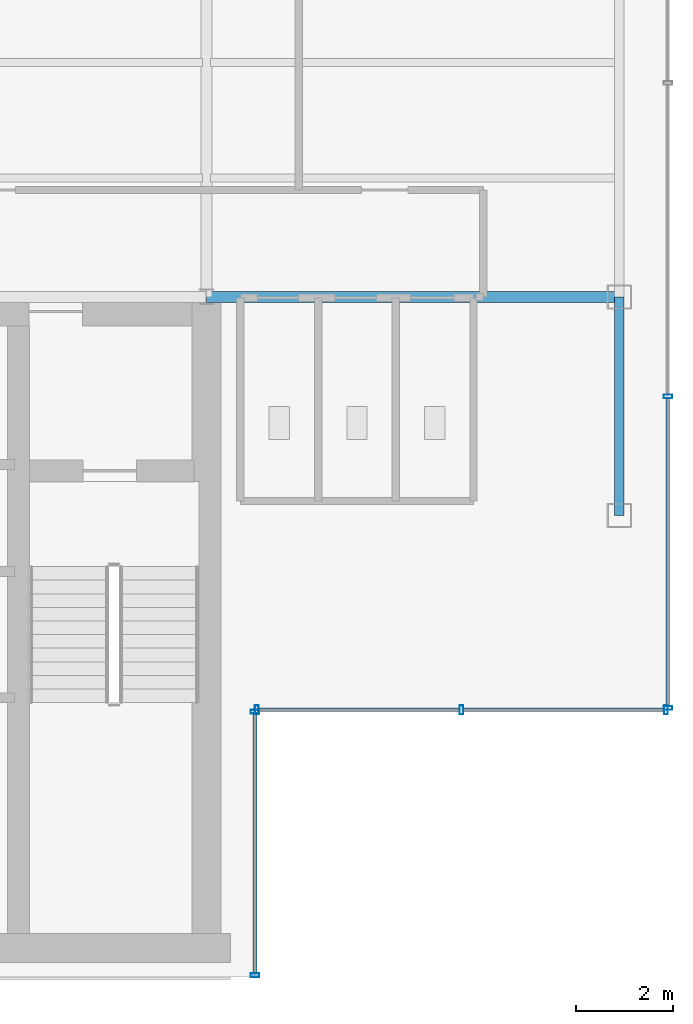
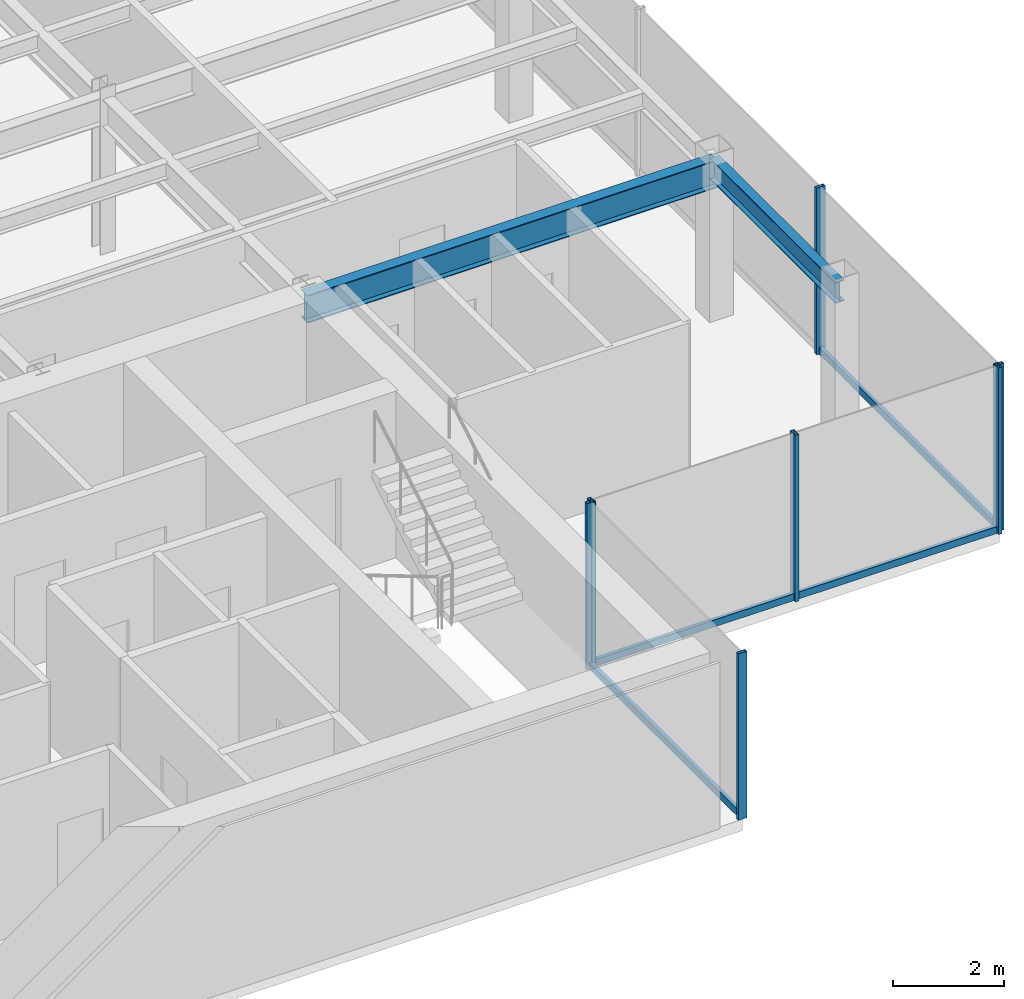
# One storey, part 9 of 22: 11 members, 2 beams, 3 elements without a shape of their own.
"""IFC4 building model written with IfcOpenShell, lengths in metres."""

from ifc_helpers import new_model, si_unit, derived_unit, direction, frame, origin, origin_2d, place, context, subcontext, project, spatial, hollow_rectangle, i_section, extrude, source, transform, mapped, material, material_profile, profile_set, type_object, element, aggregate, save


model = new_model("IFC4")

# Units and contexts
model_context = context("Model", 3, precision=1e-05, world=origin(), true_north=direction((0.0, 1.0)))
body_context = subcontext(model_context, "Body", "Model", "MODEL_VIEW")
ifc_project = project(units=[si_unit("LENGTHUNIT", "METRE"), si_unit("AREAUNIT", "SQUARE_METRE"), si_unit("VOLUMEUNIT", "CUBIC_METRE"), si_unit("PLANEANGLEUNIT", "RADIAN"), si_unit("MASSUNIT", "GRAM", prefix="KILO"), derived_unit("THERMALTRANSMITTANCEUNIT", [(si_unit("POWERUNIT", "WATT"), 1), (si_unit("LENGTHUNIT", "METRE"), -2), (si_unit("THERMODYNAMICTEMPERATUREUNIT", "KELVIN"), -1)])], contexts=[model_context])

# Site, building, storey
site_placement = place(None, origin())
site = spatial("IfcSite", under=ifc_project, at=site_placement, CompositionType="ELEMENT")
building_placement = place(site_placement, origin())
building = spatial("IfcBuilding", under=site, at=building_placement, Name="Skarnbrae Concourse Arena and Tower", CompositionType="ELEMENT")
storey_placement = place(building_placement, frame((0.0, 0.0, 192.25)))
storey = spatial("IfcBuildingStorey", under=building, at=storey_placement, Name="L49", CompositionType="ELEMENT", Elevation=192.25)

# Beams
ifc_material_1 = material(Name="Steel CSA G40.21 350W", Category="steel")
ifc_material_profile_1 = material_profile(ifc_material_1, i_section(OverallWidth=0.22802734375, OverallDepth=0.60791015625, WebThickness=0.01123046875, FlangeThickness=0.017333984375, at=origin_2d()), Name="W610X113")
ifc_profile_set_1 = profile_set([ifc_material_profile_1], Name="Steel CSA G40.21 350W")
beam_type_1 = type_object("IfcBeamType", Name="BM-GIRD-W610X113", PredefinedType="BEAM", material=ifc_profile_set_1)
shared_shape_1 = source(origin(), body_context, "Body", "SweptSolid", [
    extrude(i_section(OverallWidth=0.22802734375, OverallDepth=0.60791015625, WebThickness=0.01123046875, FlangeThickness=0.017333984375, at=origin_2d()), origin(), (0.0, 0.0, 1.0), 8.5),
])
beam_1_placement = place(storey_placement, frame((33.5, 14.0, 3.095947265625), z_axis=(1.0, 0.0, 0.0), x_axis=(0.0, 1.0, 0.0)))
element("IfcBeam", 1, at=beam_1_placement, inside=storey, type_object=beam_type_1, Name="L49 Primary E-W girder Y14.0-6", PredefinedType="BEAM", context=body_context, shape_type="MappedRepresentation", body=[
    mapped(shared_shape_1, transform((0.0, 0.0, 0.0))),
])
ifc_material_profile_2 = material_profile(ifc_material_1, i_section(OverallWidth=0.19091796875, OverallDepth=0.4599609375, WebThickness=0.010009765625, FlangeThickness=0.01611328125, at=origin_2d()), Name="W460X82")
ifc_profile_set_2 = profile_set([ifc_material_profile_2], Name="Steel CSA G40.21 350W")
beam_type_2 = type_object("IfcBeamType", Name="BM-SPAN-W460X82", PredefinedType="SPANDREL", material=ifc_profile_set_2)
shared_shape_2 = source(origin(), body_context, "Body", "SweptSolid", [
    extrude(i_section(OverallWidth=0.19091796875, OverallDepth=0.4599609375, WebThickness=0.010009765625, FlangeThickness=0.01611328125, at=origin_2d()), origin(), (0.0, 0.0, 1.0), 4.5),
])
beam_2_placement = place(storey_placement, frame((42.0, 9.5, 3.169921875), z_axis=(0.0, 1.0, 0.0), x_axis=(-1.0, 0.0, 0.0)))
element("IfcBeam", 2, at=beam_2_placement, inside=storey, type_object=beam_type_2, Name="L49 Perimeter spandrel X42.0-1", PredefinedType="SPANDREL", context=body_context, shape_type="MappedRepresentation", body=[
    mapped(shared_shape_2, transform((0.0, 0.0, 0.0))),
])

# Curtain wall, members
ifc_material_2 = material(Name="Bronze anodised aluminium 6063-T6", Category="aluminium")
curtain_wall_type = type_object("IfcCurtainWallType", Name="CW-SYS-05-HIGHZONE", PredefinedType="USERDEFINED", material=ifc_material_2)
curtain_wall_1_placement = place(storey_placement, origin())
curtain_wall_1 = element("IfcCurtainWall", 3, at=curtain_wall_1_placement, inside=storey, type_object=curtain_wall_type, Name="L49 Unitised curtain wall CW-L49-E02", ObjectType="UNITISED CURTAIN WALL", PredefinedType="USERDEFINED")
ifc_material_profile_3 = material_profile(ifc_material_2, hollow_rectangle(XDim=0.074951171875, YDim=0.179931640625, WallThickness=0.00390625, at=origin_2d()), Name="ALU-MULL-75X180")
ifc_profile_set_3 = profile_set([ifc_material_profile_3], Name="Bronze anodised aluminium 6063-T6")
member_type_1 = type_object("IfcMemberType", Name="CWM-CW-05", PredefinedType="MULLION", material=ifc_profile_set_3)
shared_shape_3 = source(origin(), body_context, "Body", "SweptSolid", [
    extrude(hollow_rectangle(XDim=0.074951171875, YDim=0.179931640625, WallThickness=0.00390625, at=origin_2d()), origin(), (0.0, 0.0, 1.0), 3.64990234375),
])
member_1_placement = place(storey_placement, frame((34.5, 0.03759765625, 0.0), z_axis=(0.0, 0.0, 1.0), x_axis=(0.0, 1.0, 0.0)))
member_1 = element("IfcMember", 4, at=member_1_placement, type_object=member_type_1, Name="CW-L49-E02 Mullion 1", PredefinedType="MULLION", context=body_context, shape_type="MappedRepresentation", body=[
    mapped(shared_shape_3, transform((0.0, 0.0, 0.0))),
])
member_2_placement = place(storey_placement, frame((34.5, 5.46240234375, 0.0), z_axis=(0.0, 0.0, 1.0), x_axis=(0.0, 1.0, 0.0)))
member_2 = element("IfcMember", 5, at=member_2_placement, type_object=member_type_1, Name="CW-L49-E02 Mullion 2", PredefinedType="MULLION", context=body_context, shape_type="MappedRepresentation", body=[
    mapped(shared_shape_3, transform((0.0, 0.0, 0.0))),
])

curtain_wall_2_placement = place(storey_placement, origin())
curtain_wall_2 = element("IfcCurtainWall", 6, at=curtain_wall_2_placement, inside=storey, type_object=curtain_wall_type, Name="L49 Unitised curtain wall CW-L49-E03", ObjectType="UNITISED CURTAIN WALL", PredefinedType="USERDEFINED")
member_3_placement = place(storey_placement, frame((34.53759765625, 5.5, 0.0), z_axis=(0.0, 0.0, 1.0), x_axis=(1.0, 0.0, 0.0)))
member_3 = element("IfcMember", 7, at=member_3_placement, type_object=member_type_1, Name="CW-L49-E03 Mullion 1", PredefinedType="MULLION", context=body_context, shape_type="MappedRepresentation", body=[
    mapped(shared_shape_3, transform((0.0, 0.0, 0.0))),
])
member_4_placement = place(storey_placement, frame((38.75, 5.5, 0.0), z_axis=(0.0, 0.0, 1.0), x_axis=(1.0, 0.0, 0.0)))
member_4 = element("IfcMember", 8, at=member_4_placement, type_object=member_type_1, Name="CW-L49-E03 Mullion 2", PredefinedType="MULLION", context=body_context, shape_type="MappedRepresentation", body=[
    mapped(shared_shape_3, transform((0.0, 0.0, 0.0))),
])
member_5_placement = place(storey_placement, frame((42.96240234375, 5.5, 0.0), z_axis=(0.0, 0.0, 1.0), x_axis=(1.0, 0.0, 0.0)))
member_5 = element("IfcMember", 9, at=member_5_placement, type_object=member_type_1, Name="CW-L49-E03 Mullion 3", PredefinedType="MULLION", context=body_context, shape_type="MappedRepresentation", body=[
    mapped(shared_shape_3, transform((0.0, 0.0, 0.0))),
])

curtain_wall_3_placement = place(storey_placement, origin())
curtain_wall_3 = element("IfcCurtainWall", 10, at=curtain_wall_3_placement, inside=storey, type_object=curtain_wall_type, Name="L49 Unitised curtain wall CW-L49-E04", ObjectType="UNITISED CURTAIN WALL", PredefinedType="USERDEFINED")
member_6_placement = place(storey_placement, frame((43.0, 5.53759765625, 0.0), z_axis=(0.0, 0.0, 1.0), x_axis=(0.0, 1.0, 0.0)))
member_6 = element("IfcMember", 11, at=member_6_placement, type_object=member_type_1, Name="CW-L49-E04 Mullion 1", PredefinedType="MULLION", context=body_context, shape_type="MappedRepresentation", body=[
    mapped(shared_shape_3, transform((0.0, 0.0, 0.0))),
])
member_7_placement = place(storey_placement, frame((43.0, 11.949951171875, 0.0), z_axis=(0.0, 0.0, 1.0), x_axis=(0.0, 1.0, 0.0)))
member_7 = element("IfcMember", 12, at=member_7_placement, type_object=member_type_1, Name="CW-L49-E04 Mullion 2", PredefinedType="MULLION", context=body_context, shape_type="MappedRepresentation", body=[
    mapped(shared_shape_3, transform((0.0, 0.0, 0.0))),
])

# Member
ifc_material_profile_4 = material_profile(ifc_material_2, hollow_rectangle(XDim=0.074951171875, YDim=0.14990234375, WallThickness=0.00390625, at=origin_2d()), Name="ALU-TRAN-75X150")
ifc_profile_set_4 = profile_set([ifc_material_profile_4], Name="Bronze anodised aluminium 6063-T6")
member_type_2 = type_object("IfcMemberType", Name="CWT-CW-05", PredefinedType="USERDEFINED", material=ifc_profile_set_4)
shared_shape_4 = source(origin(), body_context, "Body", "SweptSolid", [
    extrude(hollow_rectangle(XDim=0.074951171875, YDim=0.14990234375, WallThickness=0.00390625, at=origin_2d()), origin(), (0.0, 0.0, 1.0), 5.35009765625),
])
member_8_placement = place(storey_placement, frame((34.5, 0.074951171875, 0.074951171875), z_axis=(0.0, 1.0, 0.0), x_axis=(-1.0, 0.0, 0.0)))
member_8 = element("IfcMember", 13, at=member_8_placement, type_object=member_type_2, Name="CW-L49-E02 Transom 1", ObjectType="TRANSOM", PredefinedType="USERDEFINED", context=body_context, shape_type="MappedRepresentation", body=[
    mapped(shared_shape_4, transform((0.0, 0.0, 0.0))),
])

aggregate(curtain_wall_1, [member_1, member_2, member_8])

shared_shape_5 = source(origin(), body_context, "Body", "SweptSolid", [
    extrude(hollow_rectangle(XDim=0.074951171875, YDim=0.14990234375, WallThickness=0.00390625, at=origin_2d()), origin(), (0.0, 0.0, 1.0), 4.137451171875),
])
member_9_placement = place(storey_placement, frame((34.574951171875, 5.5, 0.074951171875), z_axis=(1.0, 0.0, 0.0), x_axis=(0.0, 1.0, 0.0)))
member_9 = element("IfcMember", 14, at=member_9_placement, type_object=member_type_2, Name="CW-L49-E03 Transom 1", ObjectType="TRANSOM", PredefinedType="USERDEFINED", context=body_context, shape_type="MappedRepresentation", body=[
    mapped(shared_shape_5, transform((0.0, 0.0, 0.0))),
])

member_10_placement = place(storey_placement, frame((38.78759765625, 5.5, 0.074951171875), z_axis=(1.0, 0.0, 0.0), x_axis=(0.0, 1.0, 0.0)))
member_10 = element("IfcMember", 15, at=member_10_placement, type_object=member_type_2, Name="CW-L49-E03 Transom 2", ObjectType="TRANSOM", PredefinedType="USERDEFINED", context=body_context, shape_type="MappedRepresentation", body=[
    mapped(shared_shape_5, transform((0.0, 0.0, 0.0))),
])

aggregate(curtain_wall_2, [member_3, member_4, member_5, member_9, member_10])

shared_shape_6 = source(origin(), body_context, "Body", "SweptSolid", [
    extrude(hollow_rectangle(XDim=0.074951171875, YDim=0.14990234375, WallThickness=0.00390625, at=origin_2d()), origin(), (0.0, 0.0, 1.0), 6.337646484375),
])
member_11_placement = place(storey_placement, frame((43.0, 5.574951171875, 0.074951171875), z_axis=(0.0, 1.0, 0.0), x_axis=(-1.0, 0.0, 0.0)))
member_11 = element("IfcMember", 16, at=member_11_placement, type_object=member_type_2, Name="CW-L49-E04 Transom 1", ObjectType="TRANSOM", PredefinedType="USERDEFINED", context=body_context, shape_type="MappedRepresentation", body=[
    mapped(shared_shape_6, transform((0.0, 0.0, 0.0))),
])

aggregate(curtain_wall_3, [member_6, member_7, member_11])

save(model, "model.ifc")
